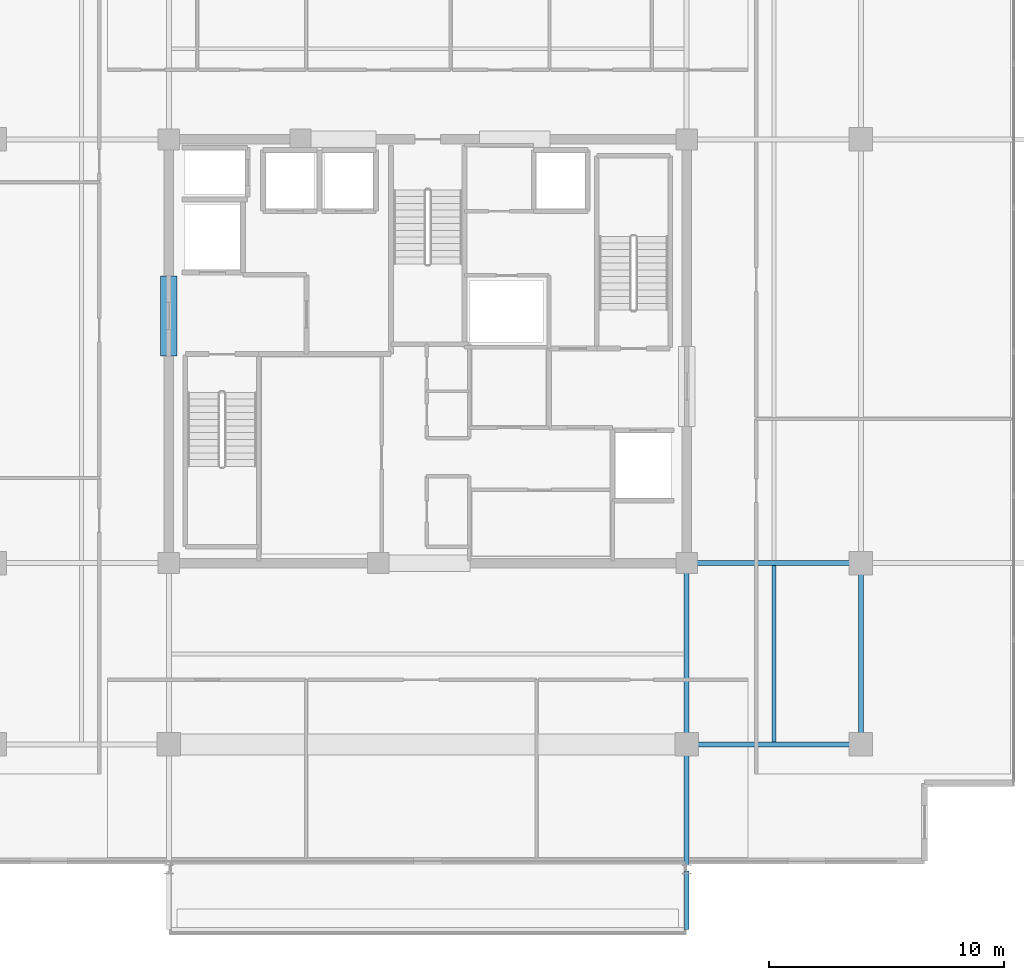
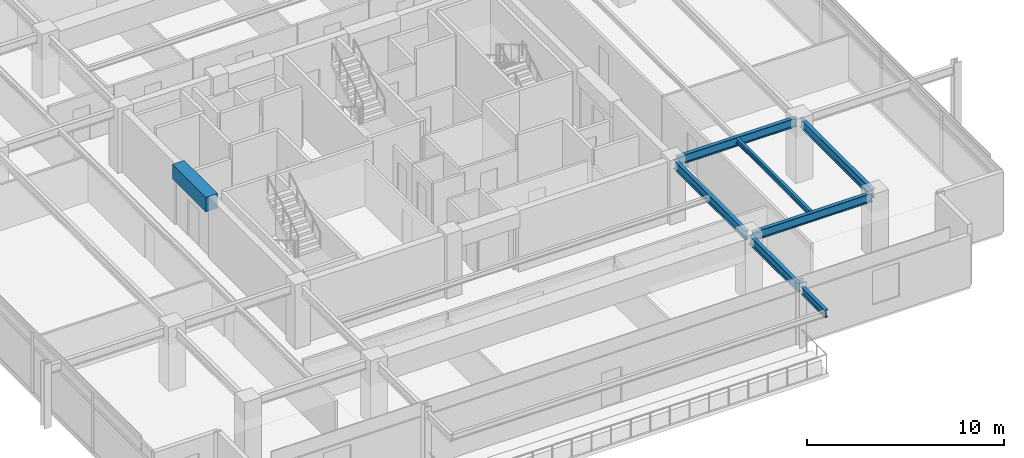
# One storey, part 5 of 20: 8 beams.
"""IFC4 building model written with IfcOpenShell, lengths in metres."""

from ifc_helpers import new_model, si_unit, direction, frame, origin, origin_2d, place, context, subcontext, project, spatial, rectangle, i_section, extrude, material, material_profile, profile_set, type_object, element, save


model = new_model("IFC4")

# Units and contexts
model_context = context("Model", 3, precision=1e-05, world=origin(), true_north=direction((0.0, 1.0)))
body_context = subcontext(model_context, "Body", "Model", "MODEL_VIEW")
ifc_project = project(units=[si_unit("LENGTHUNIT", "METRE"), si_unit("AREAUNIT", "SQUARE_METRE"), si_unit("VOLUMEUNIT", "CUBIC_METRE"), si_unit("PLANEANGLEUNIT", "RADIAN"), si_unit("MASSUNIT", "GRAM", prefix="KILO")], contexts=[model_context])

# Site, building, storey
site_placement = place(None, origin())
site = spatial("IfcSite", under=ifc_project, at=site_placement, CompositionType="ELEMENT")
building_placement = place(site_placement, origin())
building = spatial("IfcBuilding", under=site, at=building_placement, Name="Kovane Verandah Tower", CompositionType="ELEMENT")
storey_placement = place(building_placement, frame((0.0, 0.0, 322.800048828125)))
storey = spatial("IfcBuildingStorey", under=building, at=storey_placement, Name="L75", CompositionType="ELEMENT", Elevation=322.800048828125)

# Beams
ifc_material_1 = material(Name="Concrete C60/75", Category="concrete")
ifc_material_profile_1 = material_profile(ifc_material_1, rectangle(XDim=0.699951171875, YDim=0.89990234375, at=origin_2d()), Name="RCB700x900")
ifc_profile_set_1 = profile_set([ifc_material_profile_1], Name="Concrete C60/75")
beam_type_1 = type_object("IfcBeamType", Name="BM-LINTEL-700x900", PredefinedType="LINTEL", material=ifc_profile_set_1)
beam_1_placement = place(storey_placement, frame((29.0, 27.300048828125, 3.3349609375), z_axis=(0.0, 1.0, 0.0), x_axis=(-1.0, 0.0, 0.0)))
element("IfcBeam", 1, at=beam_1_placement, inside=storey, type_object=beam_type_1, Name="L75 Core Coupling Lintel CL-W", PredefinedType="LINTEL", context=body_context, shape_type="SweptSolid", body=[
    extrude(rectangle(XDim=0.699951171875, YDim=0.89990234375, at=origin_2d()), origin(), (0.0, 0.0, 1.0), 3.39990234375),
])
ifc_material_2 = material(Name="Steel S355", Category="steel")
ifc_material_profile_2 = material_profile(ifc_material_2, i_section(OverallWidth=0.2119140625, OverallDepth=0.54443359375, WebThickness=0.0126953125, FlangeThickness=0.021240234375, FilletRadius=0.0126953125, at=origin_2d()), Name="UB533x210x122")
ifc_profile_set_2 = profile_set([ifc_material_profile_2], Name="Steel S355")
beam_type_2 = type_object("IfcBeamType", Name="BM-UB533x122", PredefinedType="BEAM", material=ifc_profile_set_2)
beam_2_placement = place(storey_placement, frame((51.179931640625, 10.800048828125, 3.5126953125), z_axis=(1.0, 0.0, 0.0), x_axis=(0.0, 1.0, 0.0)))
element("IfcBeam", 2, at=beam_2_placement, inside=storey, type_object=beam_type_2, Name="L75 Primary Tower Girder G-RS3", PredefinedType="BEAM", context=body_context, shape_type="SweptSolid", body=[
    extrude(i_section(OverallWidth=0.2119140625, OverallDepth=0.54443359375, WebThickness=0.0126953125, FlangeThickness=0.021240234375, FilletRadius=0.0126953125, at=origin_2d()), origin(), (0.0, 0.0, 1.0), 7.0400390625),
])
beam_3_placement = place(storey_placement, frame((58.39990234375, 10.97998046875, 3.5126953125), z_axis=(0.0, 1.0, 0.0), x_axis=(-1.0, 0.0, 0.0)))
element("IfcBeam", 3, at=beam_3_placement, inside=storey, type_object=beam_type_2, Name="L75 Primary Tower Girder G-RE1", PredefinedType="BEAM", context=body_context, shape_type="SweptSolid", body=[
    extrude(i_section(OverallWidth=0.2119140625, OverallDepth=0.54443359375, WebThickness=0.0126953125, FlangeThickness=0.021240234375, FilletRadius=0.0126953125, at=origin_2d()), origin(), (0.0, 0.0, 1.0), 7.340087890625),
])
beam_4_placement = place(storey_placement, frame((51.179931640625, 18.5, 3.5126953125), z_axis=(1.0, 0.0, 0.0), x_axis=(0.0, 1.0, 0.0)))
element("IfcBeam", 4, at=beam_4_placement, inside=storey, type_object=beam_type_2, Name="L75 Primary Tower Girder G-E1", PredefinedType="BEAM", context=body_context, shape_type="SweptSolid", body=[
    extrude(i_section(OverallWidth=0.2119140625, OverallDepth=0.54443359375, WebThickness=0.0126953125, FlangeThickness=0.021240234375, FilletRadius=0.0126953125, at=origin_2d()), origin(), (0.0, 0.0, 1.0), 7.0400390625),
])
beam_5_placement = place(storey_placement, frame((51.0, 18.320068359375, 3.5126953125), z_axis=(0.0, -1.0, 0.0), x_axis=(1.0, 0.0, 0.0)))
element("IfcBeam", 5, at=beam_5_placement, inside=storey, type_object=beam_type_2, Name="L75 Primary Tower Girder G-S2", PredefinedType="BEAM", context=body_context, shape_type="SweptSolid", body=[
    extrude(i_section(OverallWidth=0.2119140625, OverallDepth=0.54443359375, WebThickness=0.0126953125, FlangeThickness=0.021240234375, FilletRadius=0.0126953125, at=origin_2d()), origin(), (0.0, 0.0, 1.0), 7.340087890625),
])
beam_6_placement = place(storey_placement, frame((51.0, 10.6201171875, 3.48779296875), z_axis=(0.0, -1.0, 0.0), x_axis=(1.0, 0.0, 0.0)))
element("IfcBeam", 6, at=beam_6_placement, inside=storey, type_object=beam_type_2, Name="L75 Primary Tower Girder G-VS2", PredefinedType="BEAM", context=body_context, shape_type="SweptSolid", body=[
    extrude(i_section(OverallWidth=0.2119140625, OverallDepth=0.54443359375, WebThickness=0.0126953125, FlangeThickness=0.021240234375, FilletRadius=0.0126953125, at=origin_2d()), origin(), (0.0, 0.0, 1.0), 4.940185546875),
])
ifc_material_profile_3 = material_profile(ifc_material_2, i_section(OverallWidth=0.1669921875, OverallDepth=0.310302734375, WebThickness=0.0078125, FlangeThickness=0.013671875, FilletRadius=0.0087890625, at=origin_2d()), Name="UB305x165x54")
ifc_profile_set_3 = profile_set([ifc_material_profile_3], Name="Steel S355")
beam_type_3 = type_object("IfcBeamType", Name="JST-UB305x54", PredefinedType="JOIST", material=ifc_profile_set_3)
beam_7_placement = place(storey_placement, frame((54.699951171875, 10.904052734375, 3.629638671875), z_axis=(0.0, 1.0, 0.0), x_axis=(-1.0, 0.0, 0.0)))
element("IfcBeam", 7, at=beam_7_placement, inside=storey, type_object=beam_type_3, Name="L75 Secondary Composite Joist J-SE1", PredefinedType="JOIST", context=body_context, shape_type="SweptSolid", body=[
    extrude(i_section(OverallWidth=0.1669921875, OverallDepth=0.310302734375, WebThickness=0.0078125, FlangeThickness=0.013671875, FilletRadius=0.0087890625, at=origin_2d()), origin(), (0.0, 0.0, 1.0), 7.491943359375),
])
ifc_material_profile_4 = material_profile(ifc_material_2, i_section(OverallWidth=0.19287109375, OverallDepth=0.46728515625, WebThickness=0.011474609375, FlangeThickness=0.01953125, FilletRadius=0.01025390625, at=origin_2d()), Name="UB457x191x98")
ifc_profile_set_4 = profile_set([ifc_material_profile_4], Name="Steel S355")
beam_type_4 = type_object("IfcBeamType", Name="JST-UB457x98", PredefinedType="JOIST", material=ifc_profile_set_4)
beam_8_placement = place(storey_placement, frame((51.0, 5.419921875, 3.5263671875), z_axis=(0.0, -1.0, 0.0), x_axis=(1.0, 0.0, 0.0)))
element("IfcBeam", 8, at=beam_8_placement, inside=storey, type_object=beam_type_4, Name="L75 South Planter Girder 2", PredefinedType="JOIST", context=body_context, shape_type="SweptSolid", body=[
    extrude(i_section(OverallWidth=0.19287109375, OverallDepth=0.46728515625, WebThickness=0.011474609375, FlangeThickness=0.01953125, FilletRadius=0.01025390625, at=origin_2d()), origin(), (0.0, 0.0, 1.0), 2.485595703125),
])

save(model, "model.ifc")
